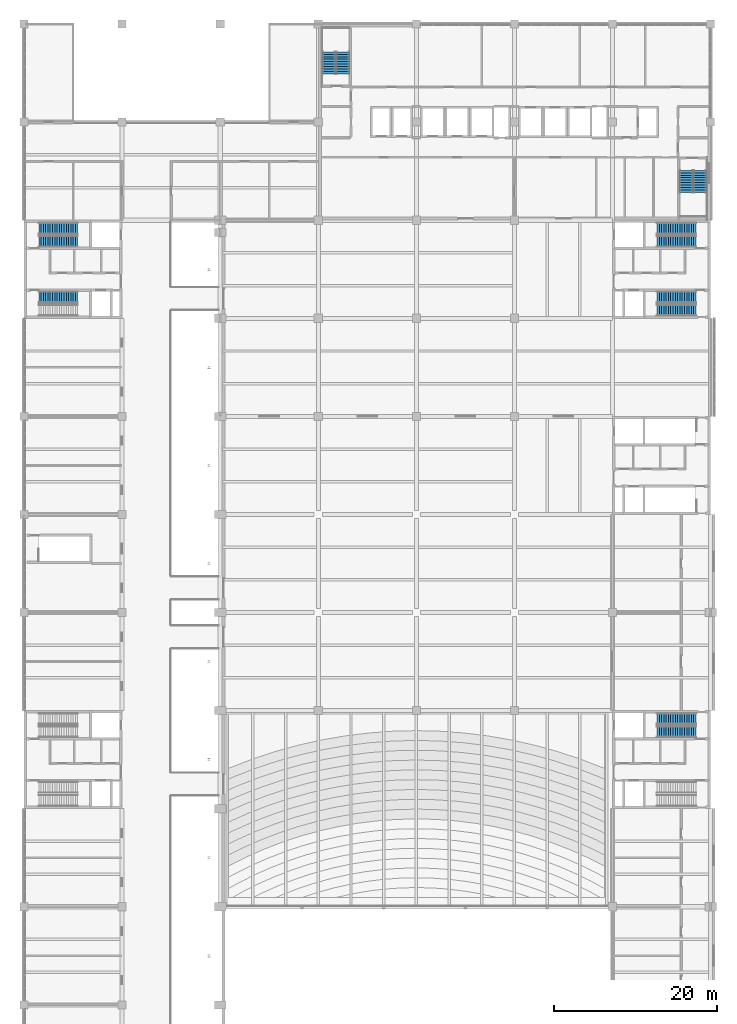
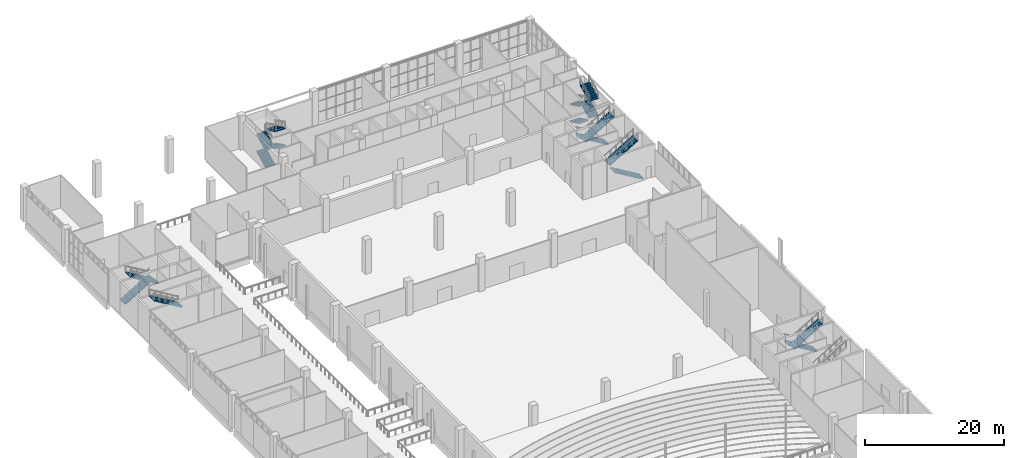
# One storey, part 69 of 72: 17 stair flights, 7 elements without a shape of their own.
"""IFC4 building model written with IfcOpenShell, lengths in metres."""

from ifc_helpers import new_model, si_unit, direction, frame, origin, place, context, subcontext, project, spatial, polyline, outline, extrude, material, type_object, element, aggregate, save


model = new_model("IFC4")

# Units and contexts
model_context = context("Model", 3, precision=1e-05, world=origin(), true_north=direction((0.0, 1.0)))
body_context = subcontext(model_context, "Body", "Model", "MODEL_VIEW")
ifc_project = project(units=[si_unit("LENGTHUNIT", "METRE"), si_unit("AREAUNIT", "SQUARE_METRE"), si_unit("VOLUMEUNIT", "CUBIC_METRE"), si_unit("PLANEANGLEUNIT", "RADIAN"), si_unit("MASSUNIT", "GRAM", prefix="KILO")], contexts=[model_context])

# Site, building, storey
site_placement = place(None, origin())
site = spatial("IfcSite", under=ifc_project, at=site_placement, CompositionType="ELEMENT")
building_placement = place(site_placement, origin())
building = spatial("IfcBuilding", under=site, at=building_placement, Name="Lilac Gate Convention Centre", CompositionType="ELEMENT")
storey_placement = place(building_placement, frame((0.0, 0.0, 6.0)))
storey = spatial("IfcBuildingStorey", under=building, at=storey_placement, Name="L01", CompositionType="ELEMENT", Elevation=6.0)

# Stair, stair flights
ifc_material = material(Name="Concrete C40", Category="concrete")
stair_type_1 = type_object("IfcStairType", Name="Exit stair", PredefinedType="DOUBLE_RETURN_STAIR", material=ifc_material)
stair_1_placement = place(storey_placement, origin())
stair_1 = element("IfcStair", 1, at=stair_1_placement, inside=storey, type_object=stair_type_1, Name="Exit stair NW L01", PredefinedType="DOUBLE_RETURN_STAIR")
stair_flight_type_1 = type_object("IfcStairFlightType", Name="Exit stair flight", PredefinedType="STRAIGHT", material=ifc_material)
stair_flight_1_placement = place(storey_placement, frame((43.300048828125, 239.89990234375, 0.0), z_axis=(0.0, 0.0, 1.0), x_axis=(0.0, 1.0, 0.0)))
stair_flight_1 = element("IfcStairFlight", 2, at=stair_flight_1_placement, type_object=stair_flight_type_1, Name="ST-NW flight 1", NumberOfRisers=10, NumberOfTreads=9, PredefinedType="STRAIGHT", RiserHeight=0.15, TreadLength=0.3, context=body_context, shape_type="SweptSolid", body=[
    extrude(outline(polyline([(0.0, 0.0), (0.0, 0.14990234375), (0.300048828125, 0.14990234375), (0.300048828125, 0.300048828125), (0.60009765625, 0.300048828125), (0.60009765625, 0.449951171875), (0.89990234375, 0.449951171875), (0.89990234375, 0.60009765625), (1.199951171875, 0.60009765625), (1.199951171875, 0.75), (1.5, 0.75), (1.5, 0.89990234375), (1.800048828125, 0.89990234375), (1.800048828125, 1.050048828125), (2.10009765625, 1.050048828125), (2.10009765625, 1.199951171875), (2.39990234375, 1.199951171875), (2.39990234375, 1.35009765625), (2.699951171875, 1.35009765625), (2.699951171875, 1.5), (2.699951171875, 1.182373046875), (0.335205078125, 0.0), (0.0, 0.0)])), frame((0.0, 0.800048828125, 0.0), z_axis=(0.0, -1.0, 0.0), x_axis=(1.0, 0.0, 0.0)), (0.0, 0.0, 1.0), 1.60009765625),
])
stair_flight_2_placement = place(storey_placement, frame((45.0, 242.60009765625, 1.5), z_axis=(0.0, 0.0, 1.0), x_axis=(0.0, -1.0, 0.0)))
stair_flight_2 = element("IfcStairFlight", 3, at=stair_flight_2_placement, type_object=stair_flight_type_1, Name="ST-NW flight 2", NumberOfRisers=10, NumberOfTreads=9, PredefinedType="STRAIGHT", RiserHeight=0.15, TreadLength=0.3, context=body_context, shape_type="SweptSolid", body=[
    extrude(outline(polyline([(0.0, 0.0), (0.0, 0.14990234375), (0.300048828125, 0.14990234375), (0.300048828125, 0.300048828125), (0.60009765625, 0.300048828125), (0.60009765625, 0.449951171875), (0.89990234375, 0.449951171875), (0.89990234375, 0.60009765625), (1.199951171875, 0.60009765625), (1.199951171875, 0.75), (1.5, 0.75), (1.5, 0.89990234375), (1.800048828125, 0.89990234375), (1.800048828125, 1.050048828125), (2.10009765625, 1.050048828125), (2.10009765625, 1.199951171875), (2.39990234375, 1.199951171875), (2.39990234375, 1.35009765625), (2.699951171875, 1.35009765625), (2.699951171875, 1.5), (2.699951171875, 1.182373046875), (0.335205078125, 0.0), (0.0, 0.0)])), frame((0.0, 0.800048828125, 0.0), z_axis=(0.0, -1.0, 0.0), x_axis=(1.0, 0.0, 0.0)), (0.0, 0.0, 1.0), 1.60009765625),
])
stair_flight_3_placement = place(storey_placement, frame((43.300048828125, 239.89990234375, 3.0), z_axis=(0.0, 0.0, 1.0), x_axis=(0.0, 1.0, 0.0)))
stair_flight_3 = element("IfcStairFlight", 4, at=stair_flight_3_placement, type_object=stair_flight_type_1, Name="ST-NW flight 3", NumberOfRisers=10, NumberOfTreads=9, PredefinedType="STRAIGHT", RiserHeight=0.15, TreadLength=0.3, context=body_context, shape_type="SweptSolid", body=[
    extrude(outline(polyline([(0.0, 0.0), (0.0, 0.14990234375), (0.300048828125, 0.14990234375), (0.300048828125, 0.300048828125), (0.60009765625, 0.300048828125), (0.60009765625, 0.449951171875), (0.89990234375, 0.449951171875), (0.89990234375, 0.60009765625), (1.199951171875, 0.60009765625), (1.199951171875, 0.75), (1.5, 0.75), (1.5, 0.89990234375), (1.800048828125, 0.89990234375), (1.800048828125, 1.050048828125), (2.10009765625, 1.050048828125), (2.10009765625, 1.199951171875), (2.39990234375, 1.199951171875), (2.39990234375, 1.35009765625), (2.699951171875, 1.35009765625), (2.699951171875, 1.5), (2.699951171875, 1.182373046875), (0.335205078125, 0.0), (0.0, 0.0)])), frame((0.0, 0.800048828125, 0.0), z_axis=(0.0, -1.0, 0.0), x_axis=(1.0, 0.0, 0.0)), (0.0, 0.0, 1.0), 1.60009765625),
])
stair_flight_4_placement = place(storey_placement, frame((45.0, 242.60009765625, 4.5), z_axis=(0.0, 0.0, 1.0), x_axis=(0.0, -1.0, 0.0)))
stair_flight_4 = element("IfcStairFlight", 5, at=stair_flight_4_placement, type_object=stair_flight_type_1, Name="ST-NW flight 4", NumberOfRisers=10, NumberOfTreads=9, PredefinedType="STRAIGHT", RiserHeight=0.15, TreadLength=0.3, context=body_context, shape_type="SweptSolid", body=[
    extrude(outline(polyline([(0.0, 0.0), (0.0, 0.14990234375), (0.300048828125, 0.14990234375), (0.300048828125, 0.300048828125), (0.60009765625, 0.300048828125), (0.60009765625, 0.449951171875), (0.89990234375, 0.449951171875), (0.89990234375, 0.60009765625), (1.199951171875, 0.60009765625), (1.199951171875, 0.75), (1.5, 0.75), (1.5, 0.89990234375), (1.800048828125, 0.89990234375), (1.800048828125, 1.050048828125), (2.10009765625, 1.050048828125), (2.10009765625, 1.199951171875), (2.39990234375, 1.199951171875), (2.39990234375, 1.35009765625), (2.699951171875, 1.35009765625), (2.699951171875, 1.5), (2.699951171875, 1.182373046875), (0.335205078125, 0.0), (0.0, 0.0)])), frame((0.0, 0.800048828125, 0.0), z_axis=(0.0, -1.0, 0.0), x_axis=(1.0, 0.0, 0.0)), (0.0, 0.0, 1.0), 1.60009765625),
])
aggregate(stair_1, [stair_flight_1, stair_flight_2, stair_flight_3, stair_flight_4])

stair_2_placement = place(storey_placement, origin())
stair_2 = element("IfcStair", 6, at=stair_2_placement, inside=storey, type_object=stair_type_1, Name="Exit stair SE L01", PredefinedType="DOUBLE_RETURN_STAIR")
stair_flight_5_placement = place(storey_placement, frame((87.0, 228.10009765625, 0.0), z_axis=(0.0, 0.0, 1.0), x_axis=(0.0, -1.0, 0.0)))
stair_flight_5 = element("IfcStairFlight", 7, at=stair_flight_5_placement, type_object=stair_flight_type_1, Name="ST-SE flight 1", NumberOfRisers=10, NumberOfTreads=9, PredefinedType="STRAIGHT", RiserHeight=0.15, TreadLength=0.3, context=body_context, shape_type="SweptSolid", body=[
    extrude(outline(polyline([(0.0, 0.0), (0.0, 0.14990234375), (0.300048828125, 0.14990234375), (0.300048828125, 0.300048828125), (0.60009765625, 0.300048828125), (0.60009765625, 0.449951171875), (0.89990234375, 0.449951171875), (0.89990234375, 0.60009765625), (1.199951171875, 0.60009765625), (1.199951171875, 0.75), (1.5, 0.75), (1.5, 0.89990234375), (1.800048828125, 0.89990234375), (1.800048828125, 1.050048828125), (2.10009765625, 1.050048828125), (2.10009765625, 1.199951171875), (2.39990234375, 1.199951171875), (2.39990234375, 1.35009765625), (2.699951171875, 1.35009765625), (2.699951171875, 1.5), (2.699951171875, 1.182373046875), (0.335205078125, 0.0), (0.0, 0.0)])), frame((0.0, 0.800048828125, 0.0), z_axis=(0.0, -1.0, 0.0), x_axis=(1.0, 0.0, 0.0)), (0.0, 0.0, 1.0), 1.60009765625),
])
stair_flight_6_placement = place(storey_placement, frame((88.699951171875, 225.39990234375, 1.5), z_axis=(0.0, 0.0, 1.0), x_axis=(0.0, 1.0, 0.0)))
stair_flight_6 = element("IfcStairFlight", 8, at=stair_flight_6_placement, type_object=stair_flight_type_1, Name="ST-SE flight 2", NumberOfRisers=10, NumberOfTreads=9, PredefinedType="STRAIGHT", RiserHeight=0.15, TreadLength=0.3, context=body_context, shape_type="SweptSolid", body=[
    extrude(outline(polyline([(0.0, 0.0), (0.0, 0.14990234375), (0.300048828125, 0.14990234375), (0.300048828125, 0.300048828125), (0.60009765625, 0.300048828125), (0.60009765625, 0.449951171875), (0.89990234375, 0.449951171875), (0.89990234375, 0.60009765625), (1.199951171875, 0.60009765625), (1.199951171875, 0.75), (1.5, 0.75), (1.5, 0.89990234375), (1.800048828125, 0.89990234375), (1.800048828125, 1.050048828125), (2.10009765625, 1.050048828125), (2.10009765625, 1.199951171875), (2.39990234375, 1.199951171875), (2.39990234375, 1.35009765625), (2.699951171875, 1.35009765625), (2.699951171875, 1.5), (2.699951171875, 1.182373046875), (0.335205078125, 0.0), (0.0, 0.0)])), frame((0.0, 0.800048828125, 0.0), z_axis=(0.0, -1.0, 0.0), x_axis=(1.0, 0.0, 0.0)), (0.0, 0.0, 1.0), 1.60009765625),
])
stair_flight_7_placement = place(storey_placement, frame((87.0, 228.10009765625, 3.0), z_axis=(0.0, 0.0, 1.0), x_axis=(0.0, -1.0, 0.0)))
stair_flight_7 = element("IfcStairFlight", 9, at=stair_flight_7_placement, type_object=stair_flight_type_1, Name="ST-SE flight 3", NumberOfRisers=10, NumberOfTreads=9, PredefinedType="STRAIGHT", RiserHeight=0.15, TreadLength=0.3, context=body_context, shape_type="SweptSolid", body=[
    extrude(outline(polyline([(0.0, 0.0), (0.0, 0.14990234375), (0.300048828125, 0.14990234375), (0.300048828125, 0.300048828125), (0.60009765625, 0.300048828125), (0.60009765625, 0.449951171875), (0.89990234375, 0.449951171875), (0.89990234375, 0.60009765625), (1.199951171875, 0.60009765625), (1.199951171875, 0.75), (1.5, 0.75), (1.5, 0.89990234375), (1.800048828125, 0.89990234375), (1.800048828125, 1.050048828125), (2.10009765625, 1.050048828125), (2.10009765625, 1.199951171875), (2.39990234375, 1.199951171875), (2.39990234375, 1.35009765625), (2.699951171875, 1.35009765625), (2.699951171875, 1.5), (2.699951171875, 1.182373046875), (0.335205078125, 0.0), (0.0, 0.0)])), frame((0.0, 0.800048828125, 0.0), z_axis=(0.0, -1.0, 0.0), x_axis=(1.0, 0.0, 0.0)), (0.0, 0.0, 1.0), 1.60009765625),
])
stair_flight_8_placement = place(storey_placement, frame((88.699951171875, 225.39990234375, 4.5), z_axis=(0.0, 0.0, 1.0), x_axis=(0.0, 1.0, 0.0)))
stair_flight_8 = element("IfcStairFlight", 10, at=stair_flight_8_placement, type_object=stair_flight_type_1, Name="ST-SE flight 4", NumberOfRisers=10, NumberOfTreads=9, PredefinedType="STRAIGHT", RiserHeight=0.15, TreadLength=0.3, context=body_context, shape_type="SweptSolid", body=[
    extrude(outline(polyline([(0.0, 0.0), (0.0, 0.14990234375), (0.300048828125, 0.14990234375), (0.300048828125, 0.300048828125), (0.60009765625, 0.300048828125), (0.60009765625, 0.449951171875), (0.89990234375, 0.449951171875), (0.89990234375, 0.60009765625), (1.199951171875, 0.60009765625), (1.199951171875, 0.75), (1.5, 0.75), (1.5, 0.89990234375), (1.800048828125, 0.89990234375), (1.800048828125, 1.050048828125), (2.10009765625, 1.050048828125), (2.10009765625, 1.199951171875), (2.39990234375, 1.199951171875), (2.39990234375, 1.35009765625), (2.699951171875, 1.35009765625), (2.699951171875, 1.5), (2.699951171875, 1.182373046875), (0.335205078125, 0.0), (0.0, 0.0)])), frame((0.0, 0.800048828125, 0.0), z_axis=(0.0, -1.0, 0.0), x_axis=(1.0, 0.0, 0.0)), (0.0, 0.0, 1.0), 1.60009765625),
])
aggregate(stair_2, [stair_flight_5, stair_flight_6, stair_flight_7, stair_flight_8])

# Stair, stair flight
stair_type_2 = type_object("IfcStairType", Name="Exit stair two flights", PredefinedType="HALF_TURN_STAIR", material=ifc_material)
stair_3_placement = place(storey_placement, origin())
stair_3 = element("IfcStair", 11, at=stair_3_placement, inside=storey, type_object=stair_type_2, Name="Exit stair W4A L01 to L02", PredefinedType="HALF_TURN_STAIR")
stair_flight_type_2 = type_object("IfcStairFlightType", Name="Stair flight 1400 precast", PredefinedType="STRAIGHT", material=ifc_material)
stair_flight_9_placement = place(storey_placement, frame((12.56005859375, 212.60009765625, 3.0), z_axis=(0.0, 0.0, 1.0), x_axis=(-1.0, 0.0, 0.0)))
stair_flight_9 = element("IfcStairFlight", 12, at=stair_flight_9_placement, type_object=stair_flight_type_2, Name="ST21 flight 2", NumberOfRisers=18, NumberOfTreads=17, PredefinedType="STRAIGHT", RiserHeight=0.166666667, TreadLength=0.28, context=body_context, shape_type="SweptSolid", body=[
    extrude(outline(polyline([(0.0, 0.0), (0.0, 0.166748046875), (0.280029296875, 0.166748046875), (0.280029296875, 0.333251953125), (0.56005859375, 0.333251953125), (0.56005859375, 0.5), (0.840087890625, 0.5), (0.840087890625, 0.666748046875), (1.1201171875, 0.666748046875), (1.1201171875, 0.833251953125), (1.39990234375, 0.833251953125), (1.39990234375, 1.0), (1.679931640625, 1.0), (1.679931640625, 1.166748046875), (1.9599609375, 1.166748046875), (1.9599609375, 1.333251953125), (2.239990234375, 1.333251953125), (2.239990234375, 1.5), (2.52001953125, 1.5), (2.52001953125, 1.666748046875), (2.800048828125, 1.666748046875), (2.800048828125, 1.833251953125), (3.080078125, 1.833251953125), (3.080078125, 2.0), (3.360107421875, 2.0), (3.360107421875, 2.166748046875), (3.639892578125, 2.166748046875), (3.639892578125, 2.333251953125), (3.919921875, 2.333251953125), (3.919921875, 2.5), (4.199951171875, 2.5), (4.199951171875, 2.666748046875), (4.47998046875, 2.666748046875), (4.47998046875, 2.833251953125), (4.760009765625, 2.833251953125), (4.760009765625, 3.0), (4.760009765625, 2.658935546875), (0.29296875, 0.0), (0.0, 0.0)])), frame((0.0, 0.699951171875, 0.0), z_axis=(0.0, -1.0, 0.0), x_axis=(1.0, 0.0, 0.0)), (0.0, 0.0, 1.0), 1.39990234375),
])
aggregate(stair_3, [stair_flight_9])

# Stair, stair flights
stair_4_placement = place(storey_placement, origin())
stair_4 = element("IfcStair", 13, at=stair_4_placement, inside=storey, type_object=stair_type_2, Name="Exit stair W4B L01 to L02", PredefinedType="HALF_TURN_STAIR")
stair_flight_10_placement = place(storey_placement, frame((7.800048828125, 221.0, 0.0), z_axis=(0.0, 0.0, 1.0), x_axis=(1.0, 0.0, 0.0)))
stair_flight_10 = element("IfcStairFlight", 14, at=stair_flight_10_placement, type_object=stair_flight_type_2, Name="ST22 flight 1", NumberOfRisers=18, NumberOfTreads=17, PredefinedType="STRAIGHT", RiserHeight=0.166666667, TreadLength=0.28, context=body_context, shape_type="SweptSolid", body=[
    extrude(outline(polyline([(0.0, 0.0), (0.0, 0.166748046875), (0.280029296875, 0.166748046875), (0.280029296875, 0.333251953125), (0.56005859375, 0.333251953125), (0.56005859375, 0.5), (0.840087890625, 0.5), (0.840087890625, 0.666748046875), (1.1201171875, 0.666748046875), (1.1201171875, 0.833251953125), (1.39990234375, 0.833251953125), (1.39990234375, 1.0), (1.679931640625, 1.0), (1.679931640625, 1.166748046875), (1.9599609375, 1.166748046875), (1.9599609375, 1.333251953125), (2.239990234375, 1.333251953125), (2.239990234375, 1.5), (2.52001953125, 1.5), (2.52001953125, 1.666748046875), (2.800048828125, 1.666748046875), (2.800048828125, 1.833251953125), (3.080078125, 1.833251953125), (3.080078125, 2.0), (3.360107421875, 2.0), (3.360107421875, 2.166748046875), (3.639892578125, 2.166748046875), (3.639892578125, 2.333251953125), (3.919921875, 2.333251953125), (3.919921875, 2.5), (4.199951171875, 2.5), (4.199951171875, 2.666748046875), (4.47998046875, 2.666748046875), (4.47998046875, 2.833251953125), (4.760009765625, 2.833251953125), (4.760009765625, 3.0), (4.760009765625, 2.658935546875), (0.29296875, 0.0), (0.0, 0.0)])), frame((0.0, 0.699951171875, 0.0), z_axis=(0.0, -1.0, 0.0), x_axis=(1.0, 0.0, 0.0)), (0.0, 0.0, 1.0), 1.39990234375),
])
stair_flight_11_placement = place(storey_placement, frame((12.56005859375, 219.39990234375, 3.0), z_axis=(0.0, 0.0, 1.0), x_axis=(-1.0, 0.0, 0.0)))
stair_flight_11 = element("IfcStairFlight", 15, at=stair_flight_11_placement, type_object=stair_flight_type_2, Name="ST22 flight 2", NumberOfRisers=18, NumberOfTreads=17, PredefinedType="STRAIGHT", RiserHeight=0.166666667, TreadLength=0.28, context=body_context, shape_type="SweptSolid", body=[
    extrude(outline(polyline([(0.0, 0.0), (0.0, 0.166748046875), (0.280029296875, 0.166748046875), (0.280029296875, 0.333251953125), (0.56005859375, 0.333251953125), (0.56005859375, 0.5), (0.840087890625, 0.5), (0.840087890625, 0.666748046875), (1.1201171875, 0.666748046875), (1.1201171875, 0.833251953125), (1.39990234375, 0.833251953125), (1.39990234375, 1.0), (1.679931640625, 1.0), (1.679931640625, 1.166748046875), (1.9599609375, 1.166748046875), (1.9599609375, 1.333251953125), (2.239990234375, 1.333251953125), (2.239990234375, 1.5), (2.52001953125, 1.5), (2.52001953125, 1.666748046875), (2.800048828125, 1.666748046875), (2.800048828125, 1.833251953125), (3.080078125, 1.833251953125), (3.080078125, 2.0), (3.360107421875, 2.0), (3.360107421875, 2.166748046875), (3.639892578125, 2.166748046875), (3.639892578125, 2.333251953125), (3.919921875, 2.333251953125), (3.919921875, 2.5), (4.199951171875, 2.5), (4.199951171875, 2.666748046875), (4.47998046875, 2.666748046875), (4.47998046875, 2.833251953125), (4.760009765625, 2.833251953125), (4.760009765625, 3.0), (4.760009765625, 2.658935546875), (0.29296875, 0.0), (0.0, 0.0)])), frame((0.0, 0.699951171875, 0.0), z_axis=(0.0, -1.0, 0.0), x_axis=(1.0, 0.0, 0.0)), (0.0, 0.0, 1.0), 1.39990234375),
])
aggregate(stair_4, [stair_flight_10, stair_flight_11])

stair_5_placement = place(storey_placement, origin())
stair_5 = element("IfcStair", 16, at=stair_5_placement, inside=storey, type_object=stair_type_2, Name="Exit stair E2B L01 to L02", PredefinedType="HALF_TURN_STAIR")
stair_flight_12_placement = place(storey_placement, frame((88.199951171875, 161.0, 0.0), z_axis=(0.0, 0.0, 1.0), x_axis=(-1.0, 0.0, 0.0)))
stair_flight_12 = element("IfcStairFlight", 17, at=stair_flight_12_placement, type_object=stair_flight_type_2, Name="ST32 flight 1", NumberOfRisers=18, NumberOfTreads=17, PredefinedType="STRAIGHT", RiserHeight=0.166666667, TreadLength=0.28, context=body_context, shape_type="SweptSolid", body=[
    extrude(outline(polyline([(0.0, 0.0), (0.0, 0.166748046875), (0.280029296875, 0.166748046875), (0.280029296875, 0.333251953125), (0.56005859375, 0.333251953125), (0.56005859375, 0.5), (0.840087890625, 0.5), (0.840087890625, 0.666748046875), (1.1201171875, 0.666748046875), (1.1201171875, 0.833251953125), (1.39990234375, 0.833251953125), (1.39990234375, 1.0), (1.679931640625, 1.0), (1.679931640625, 1.166748046875), (1.9599609375, 1.166748046875), (1.9599609375, 1.333251953125), (2.239990234375, 1.333251953125), (2.239990234375, 1.5), (2.52001953125, 1.5), (2.52001953125, 1.666748046875), (2.800048828125, 1.666748046875), (2.800048828125, 1.833251953125), (3.080078125, 1.833251953125), (3.080078125, 2.0), (3.360107421875, 2.0), (3.360107421875, 2.166748046875), (3.639892578125, 2.166748046875), (3.639892578125, 2.333251953125), (3.919921875, 2.333251953125), (3.919921875, 2.5), (4.199951171875, 2.5), (4.199951171875, 2.666748046875), (4.47998046875, 2.666748046875), (4.47998046875, 2.833251953125), (4.760009765625, 2.833251953125), (4.760009765625, 3.0), (4.760009765625, 2.658935546875), (0.29296875, 0.0), (0.0, 0.0)])), frame((0.0, 0.699951171875, 0.0), z_axis=(0.0, -1.0, 0.0), x_axis=(1.0, 0.0, 0.0)), (0.0, 0.0, 1.0), 1.39990234375),
])
stair_flight_13_placement = place(storey_placement, frame((83.43994140625, 159.39990234375, 3.0), z_axis=(0.0, 0.0, 1.0), x_axis=(1.0, 0.0, 0.0)))
stair_flight_13 = element("IfcStairFlight", 18, at=stair_flight_13_placement, type_object=stair_flight_type_2, Name="ST32 flight 2", NumberOfRisers=18, NumberOfTreads=17, PredefinedType="STRAIGHT", RiserHeight=0.166666667, TreadLength=0.28, context=body_context, shape_type="SweptSolid", body=[
    extrude(outline(polyline([(0.0, 0.0), (0.0, 0.166748046875), (0.280029296875, 0.166748046875), (0.280029296875, 0.333251953125), (0.56005859375, 0.333251953125), (0.56005859375, 0.5), (0.840087890625, 0.5), (0.840087890625, 0.666748046875), (1.1201171875, 0.666748046875), (1.1201171875, 0.833251953125), (1.39990234375, 0.833251953125), (1.39990234375, 1.0), (1.679931640625, 1.0), (1.679931640625, 1.166748046875), (1.9599609375, 1.166748046875), (1.9599609375, 1.333251953125), (2.239990234375, 1.333251953125), (2.239990234375, 1.5), (2.52001953125, 1.5), (2.52001953125, 1.666748046875), (2.800048828125, 1.666748046875), (2.800048828125, 1.833251953125), (3.080078125, 1.833251953125), (3.080078125, 2.0), (3.360107421875, 2.0), (3.360107421875, 2.166748046875), (3.639892578125, 2.166748046875), (3.639892578125, 2.333251953125), (3.919921875, 2.333251953125), (3.919921875, 2.5), (4.199951171875, 2.5), (4.199951171875, 2.666748046875), (4.47998046875, 2.666748046875), (4.47998046875, 2.833251953125), (4.760009765625, 2.833251953125), (4.760009765625, 3.0), (4.760009765625, 2.658935546875), (0.29296875, 0.0), (0.0, 0.0)])), frame((0.0, 0.699951171875, 0.0), z_axis=(0.0, -1.0, 0.0), x_axis=(1.0, 0.0, 0.0)), (0.0, 0.0, 1.0), 1.39990234375),
])
aggregate(stair_5, [stair_flight_12, stair_flight_13])

stair_6_placement = place(storey_placement, origin())
stair_6 = element("IfcStair", 19, at=stair_6_placement, inside=storey, type_object=stair_type_2, Name="Exit stair E4A L01 to L02", PredefinedType="HALF_TURN_STAIR")
stair_flight_14_placement = place(storey_placement, frame((88.199951171875, 211.0, 0.0), z_axis=(0.0, 0.0, 1.0), x_axis=(-1.0, 0.0, 0.0)))
stair_flight_14 = element("IfcStairFlight", 20, at=stair_flight_14_placement, type_object=stair_flight_type_2, Name="ST37 flight 1", NumberOfRisers=18, NumberOfTreads=17, PredefinedType="STRAIGHT", RiserHeight=0.166666667, TreadLength=0.28, context=body_context, shape_type="SweptSolid", body=[
    extrude(outline(polyline([(0.0, 0.0), (0.0, 0.166748046875), (0.280029296875, 0.166748046875), (0.280029296875, 0.333251953125), (0.56005859375, 0.333251953125), (0.56005859375, 0.5), (0.840087890625, 0.5), (0.840087890625, 0.666748046875), (1.1201171875, 0.666748046875), (1.1201171875, 0.833251953125), (1.39990234375, 0.833251953125), (1.39990234375, 1.0), (1.679931640625, 1.0), (1.679931640625, 1.166748046875), (1.9599609375, 1.166748046875), (1.9599609375, 1.333251953125), (2.239990234375, 1.333251953125), (2.239990234375, 1.5), (2.52001953125, 1.5), (2.52001953125, 1.666748046875), (2.800048828125, 1.666748046875), (2.800048828125, 1.833251953125), (3.080078125, 1.833251953125), (3.080078125, 2.0), (3.360107421875, 2.0), (3.360107421875, 2.166748046875), (3.639892578125, 2.166748046875), (3.639892578125, 2.333251953125), (3.919921875, 2.333251953125), (3.919921875, 2.5), (4.199951171875, 2.5), (4.199951171875, 2.666748046875), (4.47998046875, 2.666748046875), (4.47998046875, 2.833251953125), (4.760009765625, 2.833251953125), (4.760009765625, 3.0), (4.760009765625, 2.658935546875), (0.29296875, 0.0), (0.0, 0.0)])), frame((0.0, 0.699951171875, 0.0), z_axis=(0.0, -1.0, 0.0), x_axis=(1.0, 0.0, 0.0)), (0.0, 0.0, 1.0), 1.39990234375),
])
stair_flight_15_placement = place(storey_placement, frame((83.43994140625, 212.60009765625, 3.0), z_axis=(0.0, 0.0, 1.0), x_axis=(1.0, 0.0, 0.0)))
stair_flight_15 = element("IfcStairFlight", 21, at=stair_flight_15_placement, type_object=stair_flight_type_2, Name="ST37 flight 2", NumberOfRisers=18, NumberOfTreads=17, PredefinedType="STRAIGHT", RiserHeight=0.166666667, TreadLength=0.28, context=body_context, shape_type="SweptSolid", body=[
    extrude(outline(polyline([(0.0, 0.0), (0.0, 0.166748046875), (0.280029296875, 0.166748046875), (0.280029296875, 0.333251953125), (0.56005859375, 0.333251953125), (0.56005859375, 0.5), (0.840087890625, 0.5), (0.840087890625, 0.666748046875), (1.1201171875, 0.666748046875), (1.1201171875, 0.833251953125), (1.39990234375, 0.833251953125), (1.39990234375, 1.0), (1.679931640625, 1.0), (1.679931640625, 1.166748046875), (1.9599609375, 1.166748046875), (1.9599609375, 1.333251953125), (2.239990234375, 1.333251953125), (2.239990234375, 1.5), (2.52001953125, 1.5), (2.52001953125, 1.666748046875), (2.800048828125, 1.666748046875), (2.800048828125, 1.833251953125), (3.080078125, 1.833251953125), (3.080078125, 2.0), (3.360107421875, 2.0), (3.360107421875, 2.166748046875), (3.639892578125, 2.166748046875), (3.639892578125, 2.333251953125), (3.919921875, 2.333251953125), (3.919921875, 2.5), (4.199951171875, 2.5), (4.199951171875, 2.666748046875), (4.47998046875, 2.666748046875), (4.47998046875, 2.833251953125), (4.760009765625, 2.833251953125), (4.760009765625, 3.0), (4.760009765625, 2.658935546875), (0.29296875, 0.0), (0.0, 0.0)])), frame((0.0, 0.699951171875, 0.0), z_axis=(0.0, -1.0, 0.0), x_axis=(1.0, 0.0, 0.0)), (0.0, 0.0, 1.0), 1.39990234375),
])
aggregate(stair_6, [stair_flight_14, stair_flight_15])

stair_7_placement = place(storey_placement, origin())
stair_7 = element("IfcStair", 22, at=stair_7_placement, inside=storey, type_object=stair_type_2, Name="Exit stair E4B L01 to L02", PredefinedType="HALF_TURN_STAIR")
stair_flight_16_placement = place(storey_placement, frame((88.199951171875, 221.0, 0.0), z_axis=(0.0, 0.0, 1.0), x_axis=(-1.0, 0.0, 0.0)))
stair_flight_16 = element("IfcStairFlight", 23, at=stair_flight_16_placement, type_object=stair_flight_type_2, Name="ST38 flight 1", NumberOfRisers=18, NumberOfTreads=17, PredefinedType="STRAIGHT", RiserHeight=0.166666667, TreadLength=0.28, context=body_context, shape_type="SweptSolid", body=[
    extrude(outline(polyline([(0.0, 0.0), (0.0, 0.166748046875), (0.280029296875, 0.166748046875), (0.280029296875, 0.333251953125), (0.56005859375, 0.333251953125), (0.56005859375, 0.5), (0.840087890625, 0.5), (0.840087890625, 0.666748046875), (1.1201171875, 0.666748046875), (1.1201171875, 0.833251953125), (1.39990234375, 0.833251953125), (1.39990234375, 1.0), (1.679931640625, 1.0), (1.679931640625, 1.166748046875), (1.9599609375, 1.166748046875), (1.9599609375, 1.333251953125), (2.239990234375, 1.333251953125), (2.239990234375, 1.5), (2.52001953125, 1.5), (2.52001953125, 1.666748046875), (2.800048828125, 1.666748046875), (2.800048828125, 1.833251953125), (3.080078125, 1.833251953125), (3.080078125, 2.0), (3.360107421875, 2.0), (3.360107421875, 2.166748046875), (3.639892578125, 2.166748046875), (3.639892578125, 2.333251953125), (3.919921875, 2.333251953125), (3.919921875, 2.5), (4.199951171875, 2.5), (4.199951171875, 2.666748046875), (4.47998046875, 2.666748046875), (4.47998046875, 2.833251953125), (4.760009765625, 2.833251953125), (4.760009765625, 3.0), (4.760009765625, 2.658935546875), (0.29296875, 0.0), (0.0, 0.0)])), frame((0.0, 0.699951171875, 0.0), z_axis=(0.0, -1.0, 0.0), x_axis=(1.0, 0.0, 0.0)), (0.0, 0.0, 1.0), 1.39990234375),
])
stair_flight_17_placement = place(storey_placement, frame((83.43994140625, 219.39990234375, 3.0), z_axis=(0.0, 0.0, 1.0), x_axis=(1.0, 0.0, 0.0)))
stair_flight_17 = element("IfcStairFlight", 24, at=stair_flight_17_placement, type_object=stair_flight_type_2, Name="ST38 flight 2", NumberOfRisers=18, NumberOfTreads=17, PredefinedType="STRAIGHT", RiserHeight=0.166666667, TreadLength=0.28, context=body_context, shape_type="SweptSolid", body=[
    extrude(outline(polyline([(0.0, 0.0), (0.0, 0.166748046875), (0.280029296875, 0.166748046875), (0.280029296875, 0.333251953125), (0.56005859375, 0.333251953125), (0.56005859375, 0.5), (0.840087890625, 0.5), (0.840087890625, 0.666748046875), (1.1201171875, 0.666748046875), (1.1201171875, 0.833251953125), (1.39990234375, 0.833251953125), (1.39990234375, 1.0), (1.679931640625, 1.0), (1.679931640625, 1.166748046875), (1.9599609375, 1.166748046875), (1.9599609375, 1.333251953125), (2.239990234375, 1.333251953125), (2.239990234375, 1.5), (2.52001953125, 1.5), (2.52001953125, 1.666748046875), (2.800048828125, 1.666748046875), (2.800048828125, 1.833251953125), (3.080078125, 1.833251953125), (3.080078125, 2.0), (3.360107421875, 2.0), (3.360107421875, 2.166748046875), (3.639892578125, 2.166748046875), (3.639892578125, 2.333251953125), (3.919921875, 2.333251953125), (3.919921875, 2.5), (4.199951171875, 2.5), (4.199951171875, 2.666748046875), (4.47998046875, 2.666748046875), (4.47998046875, 2.833251953125), (4.760009765625, 2.833251953125), (4.760009765625, 3.0), (4.760009765625, 2.658935546875), (0.29296875, 0.0), (0.0, 0.0)])), frame((0.0, 0.699951171875, 0.0), z_axis=(0.0, -1.0, 0.0), x_axis=(1.0, 0.0, 0.0)), (0.0, 0.0, 1.0), 1.39990234375),
])
aggregate(stair_7, [stair_flight_16, stair_flight_17])

save(model, "model.ifc")
